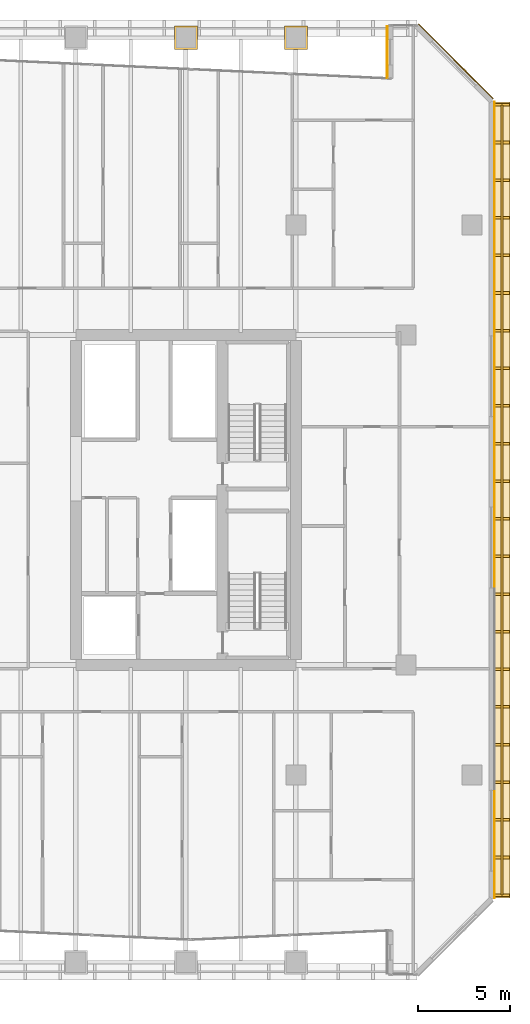
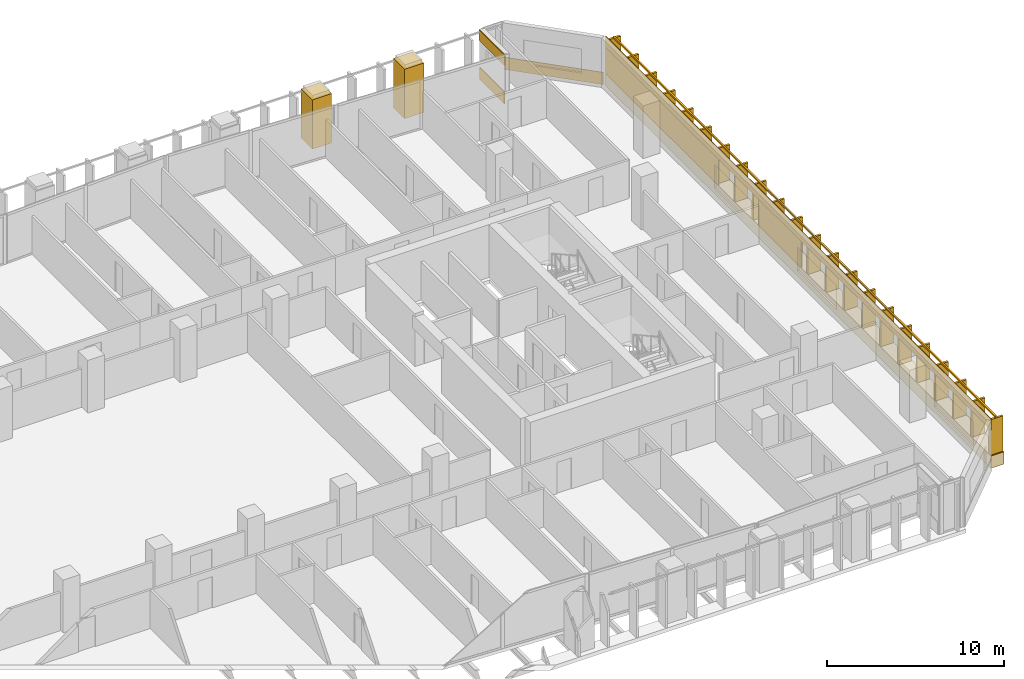
# One storey, part 32 of 32: 9 coverings, 1 railing.
"""IFC4 building model written with IfcOpenShell, lengths in metres."""

from ifc_helpers import new_model, si_unit, direction, frame, origin, origin_2d, place, context, subcontext, project, spatial, rectangle, extrude, material, layer, layer_set, type_object, element, save


model = new_model("IFC4")

# Units and contexts
model_context = context("Model", 3, precision=1e-05, world=origin(), true_north=direction((0.0, 1.0)))
body_context = subcontext(model_context, "Body", "Model", "MODEL_VIEW")
ifc_project = project(units=[si_unit("LENGTHUNIT", "METRE"), si_unit("AREAUNIT", "SQUARE_METRE"), si_unit("VOLUMEUNIT", "CUBIC_METRE"), si_unit("PLANEANGLEUNIT", "RADIAN"), si_unit("MASSUNIT", "GRAM", prefix="KILO")], contexts=[model_context])

# Site, building, storey
site_placement = place(None, origin())
site = spatial("IfcSite", under=ifc_project, at=site_placement, CompositionType="ELEMENT")
building_placement = place(site_placement, origin())
building = spatial("IfcBuilding", under=site, at=building_placement, Name="Tanjung Sevakor Pilgrim Tower", CompositionType="ELEMENT")
storey_placement = place(building_placement, frame((0.0, 0.0, 62.3701171875)))
storey = spatial("IfcBuildingStorey", under=building, at=storey_placement, Name="L17", CompositionType="ELEMENT", Elevation=62.3701171875)

# Coverings
ifc_material_1 = material(Name="Reconstructed Limestone Cladding", Category="masonry")
ifc_layer = layer(ifc_material_1, 0.044921875)
ifc_layer_set = layer_set([ifc_layer], Name="COV-CLAD-LIMESTONE")
covering_type = type_object("IfcCoveringType", Name="COV-CLAD-LIMESTONE", PredefinedType="CLADDING", material=ifc_layer_set)
covering_1_placement = place(storey_placement, frame((101.22998046875, 33.60009765625, 0.009765625), z_axis=(0.0, 0.0, 1.0), x_axis=(0.0, 1.0, 0.0)))
element("IfcCovering", 1, at=covering_1_placement, inside=storey, type_object=covering_type, Name="L17 Warm Limestone Sill Spandrel EW-L17-MAIN-17-1", PredefinedType="CLADDING", context=body_context, shape_type="SweptSolid", body=[
    extrude(rectangle(XDim=43.404052734375, YDim=0.860107421875, at=origin_2d()), origin(), (0.0, 0.0, 1.0), 0.840087890625),
])
covering_2_placement = place(storey_placement, frame((100.822509765625, 33.60009765625, 2.65966796875), z_axis=(0.0, 0.0, 1.0), x_axis=(0.0, 1.0, 0.0)))
element("IfcCovering", 2, at=covering_2_placement, inside=storey, type_object=covering_type, Name="L17 Warm Limestone Cornice Spandrel EW-L17-MAIN-17", PredefinedType="CLADDING", context=body_context, shape_type="SweptSolid", body=[
    extrude(rectangle(XDim=43.444091796875, YDim=0.044921875, at=origin_2d()), origin(), (0.0, 0.0, 1.0), 0.739990234375),
])
covering_3_placement = place(storey_placement, frame((100.822509765625, 35.679931640625, 0.849853515625), z_axis=(0.0, 0.0, 1.0), x_axis=(0.0, 1.0, 0.0)))
element("IfcCovering", 3, at=covering_3_placement, inside=storey, type_object=covering_type, Name="L17 Warm Limestone Pier Panel EW-L17-MAIN-17-2", PredefinedType="CLADDING", context=body_context, shape_type="SweptSolid", body=[
    extrude(rectangle(XDim=4.840087890625, YDim=0.044921875, at=origin_2d()), origin(), (0.0, 0.0, 1.0), 1.81005859375),
])
covering_4_placement = place(storey_placement, frame((100.822509765625, 48.950927734375, 0.849853515625), z_axis=(0.0, 0.0, 1.0), x_axis=(0.0, 1.0, 0.0)))
element("IfcCovering", 4, at=covering_4_placement, inside=storey, type_object=covering_type, Name="L17 Warm Limestone Pier Panel EW-L17-MAIN-17-3", PredefinedType="CLADDING", context=body_context, shape_type="SweptSolid", body=[
    extrude(rectangle(XDim=12.701904296875, YDim=0.044921875, at=origin_2d()), origin(), (0.0, 0.0, 1.0), 1.81005859375),
])
covering_5_placement = place(storey_placement, frame((98.7158203125, 57.515869140625, 0.009765625), z_axis=(0.0, 0.0, 1.0), x_axis=(-0.707106781187, 0.707106781187, 0.0)))
element("IfcCovering", 5, at=covering_5_placement, inside=storey, type_object=covering_type, Name="L17 Warm Limestone Sill Spandrel EW-CHM-L17-MAIN-17-1", PredefinedType="CLADDING", context=body_context, shape_type="SweptSolid", body=[
    extrude(rectangle(XDim=5.74365234375, YDim=0.044921875, at=origin_2d()), origin(), (0.0, 0.0, 1.0), 0.840087890625),
])
covering_6_placement = place(storey_placement, frame((94.9775390625, 58.0166015625, 0.009765625), z_axis=(0.0, 0.0, 1.0), x_axis=(0.0, -1.0, 0.0)))
element("IfcCovering", 6, at=covering_6_placement, inside=storey, type_object=covering_type, Name="L17 Warm Limestone Sill Spandrel EW-L17-MAIN-20-1", PredefinedType="CLADDING", context=body_context, shape_type="SweptSolid", body=[
    extrude(rectangle(XDim=2.806640625, YDim=0.044921875, at=origin_2d()), origin(), (0.0, 0.0, 1.0), 0.840087890625),
])
covering_7_placement = place(storey_placement, frame((94.9775390625, 58.0166015625, 2.65966796875), z_axis=(0.0, 0.0, 1.0), x_axis=(0.0, -1.0, 0.0)))
element("IfcCovering", 7, at=covering_7_placement, inside=storey, type_object=covering_type, Name="L17 Warm Limestone Cornice Spandrel EW-L17-MAIN-20", PredefinedType="CLADDING", context=body_context, shape_type="SweptSolid", body=[
    extrude(rectangle(XDim=2.8466796875, YDim=0.044921875, at=origin_2d()), origin(), (0.0, 0.0, 1.0), 0.739990234375),
])
for number, where, z_axis, x_axis, name in (
    (8, (84.0, 58.800048828125, 0.009765625), (0.0, 0.0, 1.0), (1.0, 0.0, 0.0), "L17 Colonnade Pier Limestone Casing 44"),
    (9, (90.0, 58.800048828125, 0.009765625), (0.0, 0.0, 1.0), (1.0, 0.0, 0.0), "L17 Colonnade Pier Limestone Casing 46"),
):
    element("IfcCovering", number, at=place(storey_placement, frame(where, z_axis=z_axis, x_axis=x_axis)), inside=storey, type_object=covering_type, Name=name, PredefinedType="CLADDING", context=body_context, shape_type="SweptSolid", body=[
        extrude(rectangle(XDim=1.260009765625, YDim=1.260009765625, at=origin_2d()), origin(), (0.0, 0.0, 1.0), 3.389892578125),
    ])

# Railing
ifc_material_2 = material(Name="Anodised Bronze Aluminium 6063-T6", Category="aluminium")
railing_type = type_object("IfcRailingType", Name="RL-FIN-SCREEN", PredefinedType="BALUSTRADE", material=ifc_material_2)
railing_placement = place(storey_placement, frame((101.22509765625, 12.05810546875, 0.83984375)))
element("IfcRailing", 10, at=railing_placement, inside=storey, type_object=railing_type, Name="L17 Vertical Bronze-Gold Solar Fin Screen FNEND-EW-L17-MAIN-17-1", PredefinedType="BALUSTRADE", context=body_context, shape_type="SweptSolid", body=[
    extrude(rectangle(XDim=0.105, YDim=0.105), frame((0.0, 0.0, 2.487548828125), z_axis=(0.0, 1.0, 0.0), x_axis=(-1.0, 0.0, 0.0)), (0.0, 0.0, 1.0), 43.083984375),
    extrude(rectangle(XDim=0.85, YDim=0.14), origin(), (0.0, 0.0, 1.0), 2.43505859375),
    extrude(rectangle(XDim=0.85, YDim=0.14), frame((0.0, 2.051513671875, 0.0)), (0.0, 0.0, 1.0), 2.43505859375),
    extrude(rectangle(XDim=0.85, YDim=0.14), frame((0.0, 4.103271484375, 0.0)), (0.0, 0.0, 1.0), 2.43505859375),
    extrude(rectangle(XDim=0.85, YDim=0.14), frame((0.0, 6.15478515625, 0.0)), (0.0, 0.0, 1.0), 2.43505859375),
    extrude(rectangle(XDim=0.85, YDim=0.14), frame((0.0, 8.20654296875, 0.0)), (0.0, 0.0, 1.0), 2.43505859375),
    extrude(rectangle(XDim=0.85, YDim=0.14), frame((0.0, 10.258056640625, 0.0)), (0.0, 0.0, 1.0), 2.43505859375),
    extrude(rectangle(XDim=0.85, YDim=0.14), frame((0.0, 12.309814453125, 0.0)), (0.0, 0.0, 1.0), 2.43505859375),
    extrude(rectangle(XDim=0.85, YDim=0.14), frame((0.0, 14.361328125, 0.0)), (0.0, 0.0, 1.0), 2.43505859375),
    extrude(rectangle(XDim=0.85, YDim=0.14), frame((0.0, 16.412841796875, 0.0)), (0.0, 0.0, 1.0), 2.43505859375),
    extrude(rectangle(XDim=0.85, YDim=0.14), frame((0.0, 18.464599609375, 0.0)), (0.0, 0.0, 1.0), 2.43505859375),
    extrude(rectangle(XDim=0.85, YDim=0.14), frame((0.0, 20.51611328125, 0.0)), (0.0, 0.0, 1.0), 2.43505859375),
    extrude(rectangle(XDim=0.85, YDim=0.14), frame((0.0, 22.56787109375, 0.0)), (0.0, 0.0, 1.0), 2.43505859375),
    extrude(rectangle(XDim=0.85, YDim=0.14), frame((0.0, 24.619384765625, 0.0)), (0.0, 0.0, 1.0), 2.43505859375),
    extrude(rectangle(XDim=0.85, YDim=0.14), frame((0.0, 26.671142578125, 0.0)), (0.0, 0.0, 1.0), 2.43505859375),
    extrude(rectangle(XDim=0.85, YDim=0.14), frame((0.0, 28.72265625, 0.0)), (0.0, 0.0, 1.0), 2.43505859375),
    extrude(rectangle(XDim=0.85, YDim=0.14), frame((0.0, 30.774169921875, 0.0)), (0.0, 0.0, 1.0), 2.43505859375),
    extrude(rectangle(XDim=0.85, YDim=0.14), frame((0.0, 32.825927734375, 0.0)), (0.0, 0.0, 1.0), 2.43505859375),
    extrude(rectangle(XDim=0.85, YDim=0.14), frame((0.0, 34.87744140625, 0.0)), (0.0, 0.0, 1.0), 2.43505859375),
    extrude(rectangle(XDim=0.85, YDim=0.14), frame((0.0, 36.92919921875, 0.0)), (0.0, 0.0, 1.0), 2.43505859375),
    extrude(rectangle(XDim=0.85, YDim=0.14), frame((0.0, 38.980712890625, 0.0)), (0.0, 0.0, 1.0), 2.43505859375),
    extrude(rectangle(XDim=0.85, YDim=0.14), frame((0.0, 41.032470703125, 0.0)), (0.0, 0.0, 1.0), 2.43505859375),
    extrude(rectangle(XDim=0.85, YDim=0.14), frame((0.0, 43.083984375, 0.0)), (0.0, 0.0, 1.0), 2.43505859375),
])

save(model, "model.ifc")
